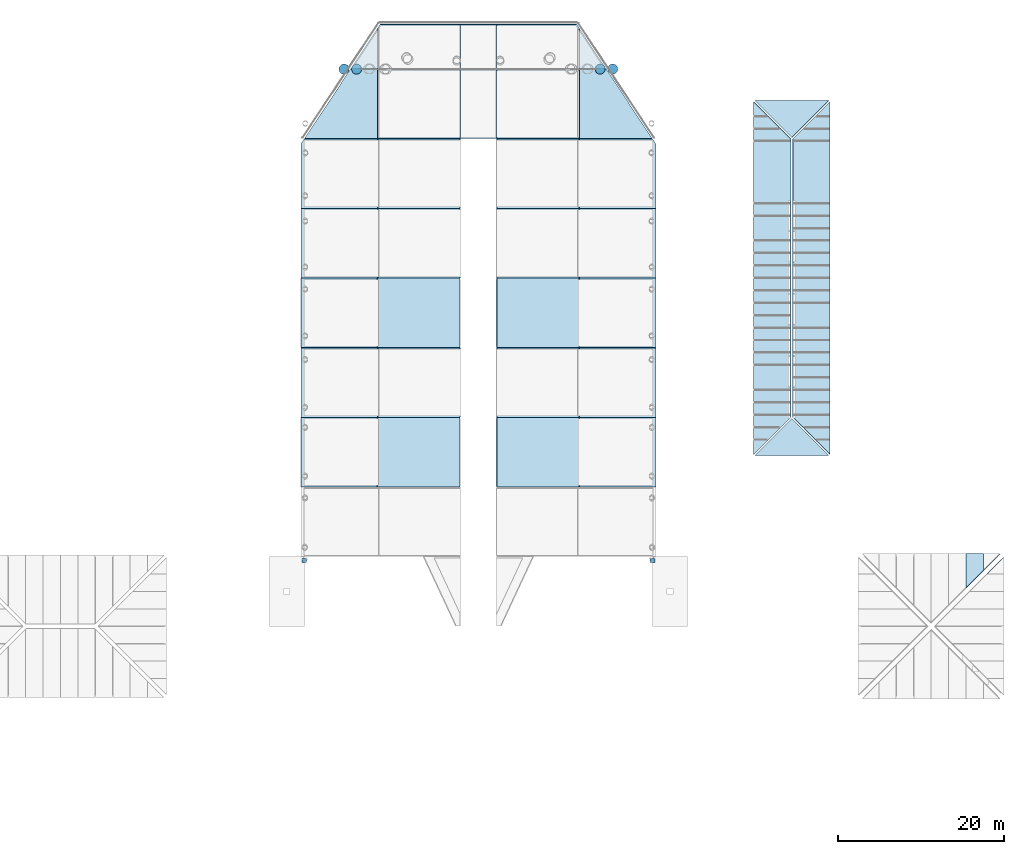
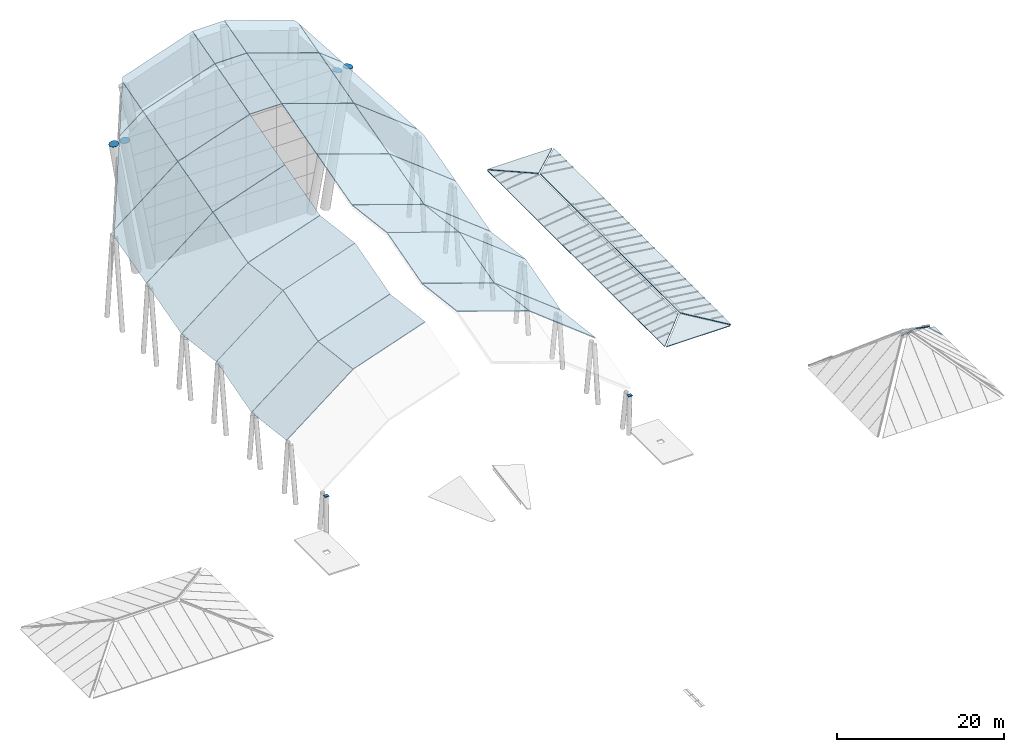
# One storey, part 3 of 8: 37 slabs, 6 discrete accessories.
"""IFC4 building model written with IfcOpenShell, lengths in metres."""

from ifc_helpers import new_model, si_unit, direction, frame, origin, origin_2d, place, context, subcontext, project, spatial, polyline, rectangle, circle, outline, extrude, material, layer, layer_set, material_profile, profile_set, type_object, element, save


model = new_model("IFC4")

# Units and contexts
model_context = context("Model", 3, precision=1e-05, world=origin(), true_north=direction((0.0, 1.0)))
body_context = subcontext(model_context, "Body", "Model", "MODEL_VIEW")
ifc_project = project(units=[si_unit("LENGTHUNIT", "METRE"), si_unit("AREAUNIT", "SQUARE_METRE"), si_unit("VOLUMEUNIT", "CUBIC_METRE"), si_unit("PLANEANGLEUNIT", "RADIAN"), si_unit("MASSUNIT", "GRAM", prefix="KILO")], contexts=[model_context])

# Site, building, storey
site_placement = place(None, origin())
site = spatial("IfcSite", under=ifc_project, at=site_placement, CompositionType="ELEMENT")
building_placement = place(site_placement, origin())
building = spatial("IfcBuilding", under=site, at=building_placement, Name="Sava Quay Ferry Terminal", CompositionType="ELEMENT")
storey_placement = place(building_placement, frame((0.0, 0.0, 18.0)))
storey = spatial("IfcBuildingStorey", under=building, at=storey_placement, Name="ROOF", CompositionType="ELEMENT", Elevation=18.0)

# Slabs
ifc_material_1 = material(Name="Cross laminated timber C24", Category="wood")
ifc_layer_1 = layer(ifc_material_1, 0.10009765625)
ifc_layer_set_1 = layer_set([ifc_layer_1], Name="Cross laminated timber C24")
slab_type = type_object("IfcSlabType", Name="Roof deck CLT 100", PredefinedType="ROOF", material=ifc_layer_set_1)
slab_1_placement = place(storey_placement, frame((41.597412109375, 58.81005859375, 8.29541015625), z_axis=(-0.612748291498, 0.097380739103, 0.784255393936), x_axis=(0.0, 0.992378959789, -0.123223375091)))
element("IfcSlab", 1, at=slab_1_placement, inside=storey, type_object=slab_type, Name="Departure hall roof deck bay 2 facet 1", PredefinedType="ROOF", context=body_context, shape_type="SweptSolid", body=[
    extrude(outline(polyline([(0.0, 0.0), (8.4442366797908, -1.1102230246251565e-16), (7.558267833007031, -11.644498520321386), (-0.8859688467837684, -11.644498520321386), (0.0, 0.0)])), origin(), (0.0, 0.0, -1.0), 0.10009765625),
])
slab_2_placement = place(storey_placement, frame((50.817138671875, 58.81005859375, 15.49462890625), z_axis=(-0.323341352102, 0.116604110432, 0.939070738257), x_axis=(0.0, 0.992378959789, -0.123223375091)))
element("IfcSlab", 2, at=slab_2_placement, inside=storey, type_object=slab_type, Name="Departure hall roof deck bay 2 facet 2", PredefinedType="ROOF", context=body_context, shape_type="SweptSolid", body=[
    extrude(outline(polyline([(0.0, 0.0), (8.4442366797908, 0.0), (8.02155884287019, -10.527679962866504), (-0.42267783692060934, -10.527679962866504), (0.0, 0.0)])), origin(), (0.0, 0.0, -1.0), 0.10009765625),
])
slab_3_placement = place(storey_placement, frame((65.220703125, 58.81005859375, 18.9248046875), z_axis=(0.323341352102, 0.116604110432, 0.939070738257), x_axis=(0.0, 0.992378959789, -0.123223375091)))
element("IfcSlab", 3, at=slab_3_placement, inside=storey, type_object=slab_type, Name="Departure hall roof deck bay 2 facet 4", PredefinedType="ROOF", context=body_context, shape_type="SweptSolid", body=[
    extrude(outline(polyline([(0.0, 0.0), (8.4442366797908, 0.0), (8.86691451671141, -10.527679962866504), (0.42267783692060934, -10.527679962866504), (0.0, 0.0)])), origin(), (0.0, 0.0, -1.0), 0.10009765625),
])
slab_4_placement = place(storey_placement, frame((75.2001953125, 58.81005859375, 15.4853515625), z_axis=(0.612748291498, 0.097380739103, 0.784255393936), x_axis=(0.0, 0.992378959789, -0.123223375091)))
element("IfcSlab", 4, at=slab_4_placement, inside=storey, type_object=slab_type, Name="Departure hall roof deck bay 2 facet 5", PredefinedType="ROOF", context=body_context, shape_type="SweptSolid", body=[
    extrude(outline(polyline([(0.0, 0.0), (8.4442366797908, 1.1102230246251565e-16), (9.330205526574568, -11.644498520321386), (0.8859688467837684, -11.644498520321386), (0.0, 0.0)])), origin(), (0.0, 0.0, -1.0), 0.10009765625),
])
slab_5_placement = place(storey_placement, frame((41.605224609375, 67.2099609375, 7.279052734375), z_axis=(-0.601150353971, -0.215886656224, 0.769422643016), x_axis=(0.0, 0.962818218662, 0.270150102373)))
element("IfcSlab", 5, at=slab_5_placement, inside=storey, type_object=slab_type, Name="Departure hall roof deck bay 3 facet 1", PredefinedType="ROOF", context=body_context, shape_type="SweptSolid", body=[
    extrude(outline(polyline([(0.0, 0.0), (8.703747800667596, 2.220446049250313e-16), (10.645979298388825, -11.514817225413456), (1.9422314977212278, -11.514817225413456), (0.0, 0.0)])), origin(), (0.0, 0.0, -1.0), 0.10009765625),
])
slab_6_placement = place(storey_placement, frame((50.824462890625, 67.2099609375, 14.477783203125), z_axis=(-0.314682686698, -0.256437987949, 0.913900631923), x_axis=(4.033409e-06, 0.962814209338, 0.270164391216)))
element("IfcSlab", 6, at=slab_6_placement, inside=storey, type_object=slab_type, Name="Departure hall roof deck bay 3 facet 2", PredefinedType="ROOF", context=body_context, shape_type="SweptSolid", body=[
    extrude(outline(polyline([(0.0, 0.0), (8.703813757741642, -1.1102230246251565e-16), (9.630169525549633, -10.490941009544681), (0.9264217259113147, -10.491014979253631), (0.0, 0.0)])), origin(), (0.0, 0.0, -1.0), 0.10009765625),
])
slab_7_placement = place(storey_placement, frame((65.217529296875, 67.2099609375, 17.90673828125), z_axis=(0.314682686698, -0.256437987949, 0.913900631923), x_axis=(4.03344e-06, 0.962814931852, 0.2701618163)))
element("IfcSlab", 7, at=slab_7_placement, inside=storey, type_object=slab_type, Name="Departure hall roof deck bay 3 facet 4", PredefinedType="ROOF", context=body_context, shape_type="SweptSolid", body=[
    extrude(outline(polyline([(0.0, 0.0), (8.703747799952637, -1.1102230246251565e-16), (7.7774811905350445, -10.490948881896982), (-0.9263325668922746, -10.491022852166482), (0.0, 0.0)])), origin(), (0.0, 0.0, -1.0), 0.10009765625),
])
slab_8_placement = place(storey_placement, frame((75.19287109375, 67.2099609375, 14.468505859375), z_axis=(0.601150353971, -0.215886656224, 0.769422643016), x_axis=(0.0, 0.962818218662, 0.270150102373)))
element("IfcSlab", 8, at=slab_8_placement, inside=storey, type_object=slab_type, Name="Departure hall roof deck bay 3 facet 5", PredefinedType="ROOF", context=body_context, shape_type="SweptSolid", body=[
    extrude(outline(polyline([(0.0, 0.0), (8.703747800667596, -2.220446049250313e-16), (6.761516302946369, -11.514817225413456), (-1.9422314977212278, -11.514817225413456), (0.0, 0.0)])), origin(), (0.0, 0.0, -1.0), 0.10009765625),
])
slab_9_placement = place(storey_placement, frame((41.597412109375, 75.610107421875, 9.609375), z_axis=(-0.612753742505, 0.097290210183, 0.78426237067), x_axis=(0.0, 0.992393095437, -0.123109480258)))
element("IfcSlab", 9, at=slab_9_placement, inside=storey, type_object=slab_type, Name="Departure hall roof deck bay 4 facet 1", PredefinedType="ROOF", context=body_context, shape_type="SweptSolid", body=[
    extrude(outline(polyline([(0.0, 0.0), (8.444116400075877, 0.0), (7.558966450468155, -11.644560796953563), (-0.8851499496077232, -11.644560796953563), (0.0, 0.0)])), origin(), (0.0, 0.0, -1.0), 0.10009765625),
])
slab_10_placement = place(storey_placement, frame((50.817138671875, 75.610107421875, 16.80859375), z_axis=(-0.323345476304, 0.116496160266, 0.939082716057), x_axis=(0.0, 0.992393095437, -0.123109480258)))
element("IfcSlab", 10, at=slab_10_placement, inside=storey, type_object=slab_type, Name="Departure hall roof deck bay 4 facet 2", PredefinedType="ROOF", context=body_context, shape_type="SweptSolid", body=[
    extrude(outline(polyline([(0.0, 0.0), (8.444116400075877, 0.0), (8.021829242453178, -10.527695641063705), (-0.42228715762269986, -10.527695641063705), (0.0, 0.0)])), origin(), (0.0, 0.0, -1.0), 0.10009765625),
])
slab_11_placement = place(storey_placement, frame((65.220703125, 75.610107421875, 20.23876953125), z_axis=(0.323345476304, 0.116496160266, 0.939082716057), x_axis=(0.0, 0.992393095437, -0.123109480258)))
element("IfcSlab", 11, at=slab_11_placement, inside=storey, type_object=slab_type, Name="Departure hall roof deck bay 4 facet 4", PredefinedType="ROOF", context=body_context, shape_type="SweptSolid", body=[
    extrude(outline(polyline([(0.0, 0.0), (8.444116400075877, 0.0), (8.866403557698577, -10.527695641063705), (0.42228715762269986, -10.527695641063705), (0.0, 0.0)])), origin(), (0.0, 0.0, -1.0), 0.10009765625),
])
slab_12_placement = place(storey_placement, frame((75.2001953125, 75.610107421875, 16.79931640625), z_axis=(0.612753742505, 0.097290210183, 0.78426237067), x_axis=(0.0, 0.992393095437, -0.123109480258)))
element("IfcSlab", 12, at=slab_12_placement, inside=storey, type_object=slab_type, Name="Departure hall roof deck bay 4 facet 5", PredefinedType="ROOF", context=body_context, shape_type="SweptSolid", body=[
    extrude(outline(polyline([(0.0, 0.0), (8.444116400075877, 0.0), (9.329266349683602, -11.644560796953563), (0.8851499496077232, -11.644560796953563), (0.0, 0.0)])), origin(), (0.0, 0.0, -1.0), 0.10009765625),
])
slab_13_placement = place(storey_placement, frame((41.604736328125, 84.010009765625, 8.592529296875), z_axis=(-0.601835161726, -0.21074516071, 0.770312219394), x_axis=(6.513903e-06, 0.964552431137, 0.263891279784)))
element("IfcSlab", 13, at=slab_13_placement, inside=storey, type_object=slab_type, Name="Departure hall roof deck bay 5 facet 1", PredefinedType="ROOF", context=body_context, shape_type="SweptSolid", body=[
    extrude(outline(polyline([(0.0, 0.0), (8.687866370796952, -2.220446049250313e-16), (10.585095870627125, -11.522165105829584), (1.897293926412151, -11.522306829510153), (0.0, 0.0)])), origin(), (0.0, 0.0, -1.0), 0.10009765625),
])
slab_14_placement = place(storey_placement, frame((50.823974609375, 84.010009765625, 15.79150390625), z_axis=(-0.315187720839, -0.250436075327, 0.915389792824), x_axis=(-4.053923e-06, 0.964554081825, 0.263885246307)))
element("IfcSlab", 14, at=slab_14_placement, inside=storey, type_object=slab_type, Name="Departure hall roof deck bay 5 facet 2", PredefinedType="ROOF", context=body_context, shape_type="SweptSolid", body=[
    extrude(outline(polyline([(0.0, 0.0), (8.687801945161208, 0.0), (9.592612230539217, -10.493132669737145), (0.9047458602690491, -10.493058446930036), (0.0, 0.0)])), origin(), (0.0, 0.0, -1.0), 0.10009765625),
])
slab_15_placement = place(storey_placement, frame((65.2177734375, 84.010009765625, 19.22021484375), z_axis=(0.315187720839, -0.250436075327, 0.915389792824), x_axis=(-4.053893e-06, 0.964553371249, 0.263887843594)))
element("IfcSlab", 15, at=slab_15_placement, inside=storey, type_object=slab_type, Name="Departure hall roof deck bay 5 facet 4", PredefinedType="ROOF", context=body_context, shape_type="SweptSolid", body=[
    extrude(outline(polyline([(0.0, 0.0), (8.687866370587223, 0.0), (7.782966439553761, -10.49312493931367), (-0.9048355052903966, -10.493050717056962), (0.0, 0.0)])), origin(), (0.0, 0.0, -1.0), 0.10009765625),
])
slab_16_placement = place(storey_placement, frame((75.193359375, 84.010009765625, 15.781982421875), z_axis=(0.601835161726, -0.21074516071, 0.770312219394), x_axis=(6.513951e-06, 0.964555021897, 0.263881810078)))
element("IfcSlab", 16, at=slab_16_placement, inside=storey, type_object=slab_type, Name="Departure hall roof deck bay 5 facet 5", PredefinedType="ROOF", context=body_context, shape_type="SweptSolid", body=[
    extrude(outline(polyline([(0.0, 0.0), (8.68780194537094, -2.220446049250313e-16), (6.790760406298888, -11.522196053706857), (-1.89710596334209, -11.522337778438395), (0.0, 0.0)])), origin(), (0.0, 0.0, -1.0), 0.10009765625),
])
slab_17_placement = place(storey_placement, frame((41.604736328125, 92.409912109375, 10.890625), z_axis=(-0.601837546931, -0.210738117614, 0.770312282706), x_axis=(3.937414e-06, 0.96455519378, 0.263881181852)))
element("IfcSlab", 17, at=slab_17_placement, inside=storey, type_object=slab_type, Name="Departure hall roof deck bay 6 facet 1", PredefinedType="ROOF", context=body_context, shape_type="SweptSolid", body=[
    extrude(outline(polyline([(0.0, 0.0), (8.060114366953139, -2.220446049250313e-16), (8.770695151786297, -0.5016793615070008), (10.585235051839295, -11.52221480500804), (1.897197619196457, -11.522322687456391), (0.0, 0.0)])), origin(), (0.0, 0.0, -1.0), 0.10009765625),
])
slab_18_placement = place(storey_placement, frame((50.823974609375, 92.409912109375, 18.08935546875), z_axis=(-0.31518829674, -0.250429236876, 0.915391465394), x_axis=(4.053798e-06, 0.964555328061, 0.263880691019)))
element("IfcSlab", 18, at=slab_18_placement, inside=storey, type_object=slab_type, Name="Departure hall roof deck bay 6 facet 2", PredefinedType="ROOF", context=body_context, shape_type="SweptSolid", body=[
    extrude(outline(polyline([(0.0, 0.0), (8.688101856702621, 1.1102230246251565e-16), (9.59291283693545, -10.493052831869942), (0.9048754042296622, -10.493127054412856), (0.0, 0.0)])), origin(), (0.0, 0.0, -1.0), 0.10009765625),
])
slab_19_placement = place(storey_placement, frame((65.2177734375, 92.409912109375, 21.518310546875), z_axis=(0.31518829674, -0.250429236876, 0.915391465394), x_axis=(4.053828e-06, 0.964556038603, 0.263878093782)))
element("IfcSlab", 19, at=slab_19_placement, inside=storey, type_object=slab_type, Name="Departure hall roof deck bay 6 facet 4", PredefinedType="ROOF", context=body_context, shape_type="SweptSolid", body=[
    extrude(outline(polyline([(0.0, 0.0), (8.688037433022835, 1.1102230246251565e-16), (7.783316095745273, -10.493060561353794), (-0.9047857606403034, -10.493134784447085), (0.0, 0.0)])), origin(), (0.0, 0.0, -1.0), 0.10009765625),
])
slab_20_placement = place(storey_placement, frame((75.193359375, 92.409912109375, 18.080078125), z_axis=(0.601837546931, -0.210738117614, 0.770312282706), x_axis=(5.979317e-06, 0.964557165789, 0.263873973498)))
element("IfcSlab", 20, at=slab_20_placement, inside=storey, type_object=slab_type, Name="Departure hall roof deck bay 6 facet 5", PredefinedType="ROOF", context=body_context, shape_type="SweptSolid", body=[
    extrude(outline(polyline([(0.0, 0.0), (8.688037433312646, 2.220446049250313e-16), (6.873634379304606, -11.020557974438193), (6.163059824057146, -11.522246159440648), (-1.897054542274595, -11.522346244745135), (0.0, 0.0)])), origin(), (0.0, 0.0, -1.0), 0.10009765625),
])
slab_21_placement = place(storey_placement, frame((47.562744140625, 109.18994140625, 20.13623046875), z_axis=(-0.601832160299, -0.210754428546, 0.770312028777), x_axis=(0.788011417431, 8.15656e-07, 0.615660625668)))
element("IfcSlab", 21, at=slab_21_placement, inside=storey, type_object=slab_type, Name="Departure hall roof deck bay 7 facet 1", PredefinedType="ROOF", context=body_context, shape_type="SweptSolid", body=[
    extrude(outline(polyline([(0.0, 0.0), (4.116572426382712, -1.1102230246251565e-16), (2.7050253237897097, -8.572430044192497), (-8.44719214630381, -8.572417303954756), (0.0, 0.0)])), origin(), (0.0, 0.0, -1.0), 0.10009765625),
])
slab_22_placement = place(storey_placement, frame((50.823974609375, 100.81005859375, 20.387451171875), z_axis=(-0.315198879646, -0.250422691341, 0.915389612095), x_axis=(0.0, 0.964557302837, 0.263873472603)))
element("IfcSlab", 22, at=slab_22_placement, inside=storey, type_object=slab_type, Name="Departure hall roof deck bay 7 facet 2", PredefinedType="ROOF", context=body_context, shape_type="SweptSolid", body=[
    extrude(outline(polyline([(0.0, 0.0), (8.687801945879816, -1.1102230246251565e-16), (9.59261222974577, -10.4931326704625), (0.9048102838659526, -10.493132670462503), (0.0, 0.0)])), origin(), (0.0, 0.0, -1.0), 0.10009765625),
])
slab_23_placement = place(storey_placement, frame((60.8017578125, 100.81005859375, 23.819580078125), z_axis=(0.0, -0.263873472603, 0.964557302837), x_axis=(0.0, 0.964557302837, 0.263873472603)))
element("IfcSlab", 23, at=slab_23_placement, inside=storey, type_object=slab_type, Name="Departure hall roof deck bay 7 facet 3", PredefinedType="ROOF", context=body_context, shape_type="SweptSolid", body=[
    extrude(outline(polyline([(0.0, 0.0), (8.687801945879816, 0.0), (8.687801945879816, -4.396484375), (0.0, -4.396484375), (0.0, 0.0)])), origin(), (0.0, 0.0, -1.0), 0.10009765625),
])
slab_24_placement = place(storey_placement, frame((65.2177734375, 100.81005859375, 23.81640625), z_axis=(0.315198879646, -0.250422691341, 0.915389612095), x_axis=(0.0, 0.964557302837, 0.263873472603)))
element("IfcSlab", 24, at=slab_24_placement, inside=storey, type_object=slab_type, Name="Departure hall roof deck bay 7 facet 4", PredefinedType="ROOF", context=body_context, shape_type="SweptSolid", body=[
    extrude(outline(polyline([(0.0, 0.0), (8.687801945879816, 1.1102230246251565e-16), (7.782991662013863, -10.493132670462503), (-0.9048102838659526, -10.493132670462503), (0.0, 0.0)])), origin(), (0.0, 0.0, -1.0), 0.10009765625),
])
slab_25_placement = place(storey_placement, frame((75.193359375, 100.81005859375, 20.3779296875), z_axis=(0.601832160299, -0.210754428546, 0.770312028777), x_axis=(-1.103642e-06, 0.964550536585, 0.263898204565)))
element("IfcSlab", 25, at=slab_25_placement, inside=storey, type_object=slab_type, Name="Departure hall roof deck bay 7 facet 5", PredefinedType="ROOF", context=body_context, shape_type="SweptSolid", body=[
    extrude(outline(polyline([(0.0, 0.0), (8.687866371291218, 0.0), (8.019032893341311, -4.061875222163757), (-1.811926009200483, -11.004039196477091), (0.0, 0.0)])), origin(), (0.0, 0.0, -1.0), 0.10009765625),
])
slab_26_placement = place(storey_placement, frame((50.806640625, 114.093017578125, 24.01171875), z_axis=(-0.601848181866, -0.210708344531, 0.770312118254), x_axis=(0.0, -0.964565450807, -0.263843686884)))
element("IfcSlab", 26, at=slab_26_placement, inside=storey, type_object=slab_type, Name="Departure hall roof deck bay 8 facet 1", PredefinedType="ROOF", context=body_context, shape_type="SweptSolid", body=[
    extrude(outline(polyline([(0.0, 0.0), (5.062441990366939, 1.1102230246251565e-16), (5.728428288876243, -4.045417385925321), (0.0, 0.0)])), origin(), (0.0, 0.0, -1.0), 0.10009765625),
])
slab_27_placement = place(storey_placement, frame((50.823974609375, 109.2099609375, 22.685302734375), z_axis=(-0.315197161128, -0.250397424688, 0.915397115642), x_axis=(5.408344e-06, 0.964564155352, 0.263848422738)))
element("IfcSlab", 27, at=slab_27_placement, inside=storey, type_object=slab_type, Name="Departure hall roof deck bay 8 facet 2", PredefinedType="ROOF", context=body_context, shape_type="SweptSolid", body=[
    extrude(outline(polyline([(0.0, 0.0), (5.089807317736796, 0.0), (5.606058334221749, -0.32796576697902796), (6.482556221208996, -10.493104113493722), (0.9047782466604111, -10.493135432855697), (0.0, 0.0)])), origin(), (0.0, 0.0, -1.0), 0.10009765625),
])
slab_28_placement = place(storey_placement, frame((60.8017578125, 109.2099609375, 26.11767578125), z_axis=(0.0, -0.263806222753, 0.964575697826), x_axis=(0.0, 0.964575697826, 0.263806222753)))
element("IfcSlab", 28, at=slab_28_placement, inside=storey, type_object=slab_type, Name="Departure hall roof deck bay 8 facet 3", PredefinedType="ROOF", context=body_context, shape_type="SweptSolid", body=[
    extrude(outline(polyline([(0.0, 0.0), (5.577713563849387, 0.0), (5.577713563849387, -4.396484375), (0.0, -4.396484375), (0.0, 0.0)])), origin(), (0.0, 0.0, -1.0), 0.10009765625),
])
slab_29_placement = place(storey_placement, frame((65.2177734375, 109.2099609375, 26.1142578125), z_axis=(0.315197161128, -0.250397424688, 0.915397115642), x_axis=(-7.9539e-08, 0.964564622334, 0.263846715618)))
element("IfcSlab", 29, at=slab_29_placement, inside=storey, type_object=slab_type, Name="Departure hall roof deck bay 8 facet 4", PredefinedType="ROOF", context=body_context, shape_type="SweptSolid", body=[
    extrude(outline(polyline([(0.0, 0.0), (5.577777974636514, 5.551115123125783e-17), (4.70133716516758, -10.165143267911871), (4.185087990226699, -10.493111933648018), (-0.9047193274298603, -10.493140513042627), (0.0, 0.0)])), origin(), (0.0, 0.0, -1.0), 0.10009765625),
])
slab_30_placement = place(storey_placement, frame((75.193359375, 109.2099609375, 22.676025390625), z_axis=(0.601848181866, -0.210708344531, 0.770312118254), x_axis=(0.0, 0.964565450807, 0.263843686884)))
element("IfcSlab", 30, at=slab_30_placement, inside=storey, type_object=slab_type, Name="Departure hall roof deck bay 8 facet 5", PredefinedType="ROOF", context=body_context, shape_type="SweptSolid", body=[
    extrude(outline(polyline([(0.0, 0.0), (5.062441990366939, -1.1102230246251565e-16), (-0.6659862985093036, -4.045417385925321), (0.0, 0.0)])), origin(), (0.0, 0.0, -1.0), 0.10009765625),
])
slab_31_placement = place(storey_placement, frame((96.338134765625, 62.600830078125, 0.51708984375), z_axis=(0.0, -0.129828558837, 0.991536456874), x_axis=(0.704095392112, 0.704095392112, 0.092191960677)))
element("IfcSlab", 31, at=slab_31_placement, inside=storey, type_object=slab_type, Name="Mansard roof deck O-U0", PredefinedType="ROOF", context=body_context, shape_type="SweptSolid", body=[
    extrude(outline(polyline([(0.0, 0.0), (6.337087435150307, 2.7755575615628914e-16), (6.28305436452262, -6.336685172757698), (0.0, 0.0)])), origin(), (0.0, 0.0, -1.0), 0.10009765625),
])
slab_32_placement = place(storey_placement, frame((105.399169921875, 62.73828125, 0.51708984375), z_axis=(0.129874768509, 0.0, 0.991530405235), x_axis=(-0.704093225189, 0.704093225189, 0.09222505346)))
element("IfcSlab", 32, at=slab_32_placement, inside=storey, type_object=slab_type, Name="Mansard roof deck O-U1", PredefinedType="ROOF", context=body_context, shape_type="SweptSolid", body=[
    extrude(outline(polyline([(0.0, 0.0), (6.366580241446393, 3.122502256758253e-16), (29.994614952173556, -23.829864002138596), (29.940464255500853, -30.196213951114498), (0.0, 0.0)])), origin(), (0.0, 0.0, -1.0), 0.10009765625),
])
slab_33_placement = place(storey_placement, frame((105.26171875, 105.399169921875, 0.51708984375), z_axis=(0.0, 0.129828558837, 0.991536456874), x_axis=(-0.704075964758, -0.704114491487, 0.092194461487)))
element("IfcSlab", 33, at=slab_33_placement, inside=storey, type_object=slab_type, Name="Mansard roof deck O-U2", PredefinedType="ROOF", context=body_context, shape_type="SweptSolid", body=[
    extrude(outline(polyline([(0.0, 0.0), (6.336915539232688, 5.065392549852277e-16), (6.282881002897561, -6.336857062426368), (0.0, 0.0)])), origin(), (0.0, 0.0, -1.0), 0.10009765625),
])
slab_34_placement = place(storey_placement, frame((96.200927734375, 105.26171875, 0.51708984375), z_axis=(-0.129874768509, 0.0, 0.991530405235), x_axis=(0.704093225189, -0.704093225189, 0.09222505346)))
element("IfcSlab", 34, at=slab_34_placement, inside=storey, type_object=slab_type, Name="Mansard roof deck O-U3", PredefinedType="ROOF", context=body_context, shape_type="SweptSolid", body=[
    extrude(outline(polyline([(0.0, 0.0), (6.366580241446393, 3.122502256758253e-16), (29.994614952173556, -23.829864002138596), (29.940464255500853, -30.196213951114498), (0.0, 0.0)])), origin(), (0.0, 0.0, -1.0), 0.10009765625),
])
slab_35_placement = place(storey_placement, frame((126.36328125, 50.300537109375, 0.378173828125), z_axis=(0.669130899675, 0.0, 0.743144561374), x_axis=(0.0, -1.0, 0.0)))
element("IfcSlab", 35, at=slab_35_placement, inside=storey, type_object=slab_type, Name="East pavilion roof deck PH-E", PredefinedType="ROOF", context=body_context, shape_type="SweptSolid", body=[
    extrude(outline(polyline([(0.0, 0.0), (1.990478515625, 0.0), (1.990478515625, -2.6784539900875064), (0.0, 0.0)])), origin(), (0.0, 0.0, -1.0), 0.10009765625),
])
slab_36_placement = place(storey_placement, frame((123.909912109375, 48.772705078125, 2.17041015625), z_axis=(0.0, 0.669085576246, 0.743185368303), x_axis=(0.0, 0.743185368303, -0.669085576246)))
element("IfcSlab", 36, at=slab_36_placement, inside=storey, type_object=slab_type, Name="East pavilion roof deck PH-N", PredefinedType="ROOF", context=body_context, shape_type="SweptSolid", body=[
    extrude(outline(polyline([(0.0, 0.0), (2.67863542684667, 0.0), (2.67863542684667, -1.99072265625), (0.0, 0.0)])), origin(), (0.0, 0.0, -1.0), 0.10009765625),
])
slab_37_placement = place(storey_placement, frame((121.81005859375, 46.6728515625, 4.061279296875), z_axis=(3.4805553e-05, 0.669114224593, 0.743159574544), x_axis=(4.58e-10, 0.743159574994, -0.669114224998)))
element("IfcSlab", 37, at=slab_37_placement, inside=storey, type_object=slab_type, Name="East pavilion roof deck PH-N", PredefinedType="ROOF", context=body_context, shape_type="SweptSolid", body=[
    extrude(outline(polyline([(0.0, 0.0), (5.504369110679933, -1.3552527156068805e-20), (5.504369111631956, -2.0798339831152166), (2.798767491023776, -2.079833986873243), (0.0, 0.0)])), origin(), (0.0, 0.0, -1.0), 0.10009765625),
])

# Discrete accessories
ifc_material_2 = material(Name="Steel S355", Category="steel")
ifc_material_profile = material_profile(ifc_material_2, circle(Radius=0.609619140625, at=origin_2d()), Name="Disc 1219")
ifc_profile_set = profile_set([ifc_material_profile], Name="Steel S355")
discrete_accessory_type_1 = type_object("IfcDiscreteAccessoryType", Name="Leg head cap disc 1219 x 30", PredefinedType="ANCHORPLATE", material=ifc_profile_set)
for number, where, z_axis, x_axis, name in (
    (38, (46.798583984375, 109.199951171875, 19.260009765625), (-0.154163113785, 0.0, 0.988045411076), (0.0, -1.0, 0.0), "Departure hall prow V column D-PV7H0a head cap disc"),
    (39, (48.31787109375, 109.199951171875, 19.260009765625), (-0.181339945149, 0.0, 0.983420471769), (0.0, -1.0, 0.0), "Departure hall prow V column D-PV7H0b head cap disc"),
    (40, (77.68212890625, 109.199951171875, 19.260009765625), (0.181339945149, 0.0, 0.983420471769), (0.0, 1.0, 0.0), "Departure hall prow V column D-PV7H1a head cap disc"),
    (41, (79.201416015625, 109.199951171875, 19.260009765625), (0.154163113785, 0.0, 0.988045411076), (0.0, 1.0, 0.0), "Departure hall prow V column D-PV7H1b head cap disc"),
):
    element("IfcDiscreteAccessory", number, at=place(storey_placement, frame(where, z_axis=z_axis, x_axis=x_axis)), inside=storey, type_object=discrete_accessory_type_1, Name=name, PredefinedType="ANCHORPLATE", context=body_context, shape_type="SweptSolid", body=[
        extrude(circle(Radius=0.609619140625, at=origin_2d()), origin(), (0.0, 0.0, 1.0), 0.034912109375),
    ])
ifc_material_3 = material(Name="Steel S355", Category="steel")
ifc_layer_2 = layer(ifc_material_3, 0.02001953125)
ifc_layer_set_2 = layer_set([ifc_layer_2], Name="Steel S355")
discrete_accessory_type_2 = type_object("IfcDiscreteAccessoryType", Name="Leg head cap plate 20", PredefinedType="ANCHORPLATE", material=ifc_layer_set_2)
for number, where, z_axis, x_axis, name in (
    (42, (42.0, 49.948974609375, 5.39990234375), (0.0, 0.0, 1.0), (1.0, 0.0, 0.0), "Departure hall V column D-VL0a head cap plate"),
    (43, (84.0, 49.948974609375, 5.39990234375), (0.0, 0.0, 1.0), (1.0, 0.0, 0.0), "Departure hall V column D-VR0a head cap plate"),
):
    element("IfcDiscreteAccessory", number, at=place(storey_placement, frame(where, z_axis=z_axis, x_axis=x_axis)), inside=storey, type_object=discrete_accessory_type_2, Name=name, PredefinedType="ANCHORPLATE", context=body_context, shape_type="SweptSolid", body=[
        extrude(rectangle(XDim=0.56005859375, YDim=0.491943359375, at=origin_2d()), origin(), (0.0, 0.0, 1.0), 0.02001953125),
    ])

save(model, "model.ifc")
